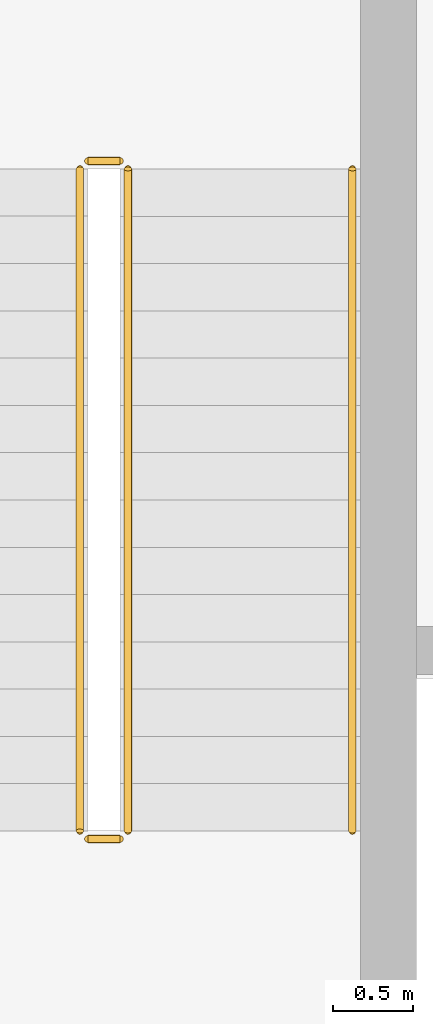
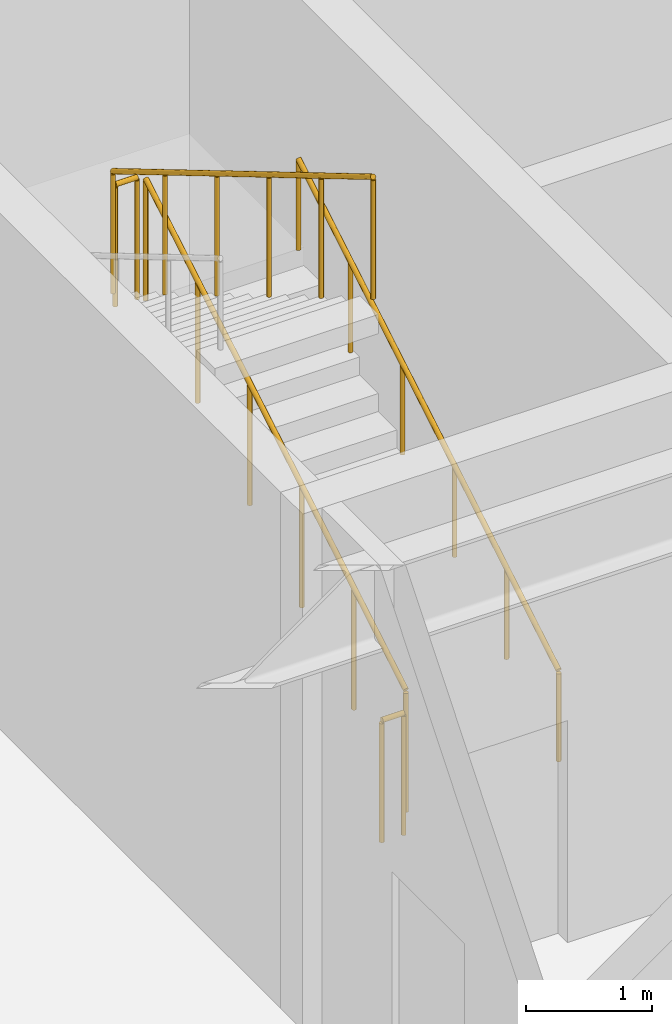
# One storey, part 106 of 109: 5 railings.
"""IFC4 building model written with IfcOpenShell, lengths in metres."""

from ifc_helpers import new_model, si_unit, direction, frame, origin, origin_2d, place, context, subcontext, project, spatial, circle, extrude, material, layer, layer_set, type_object, element, save


model = new_model("IFC4")

# Units and contexts
model_context = context("Model", 3, precision=1e-05, world=origin(), true_north=direction((0.0, 1.0)))
body_context = subcontext(model_context, "Body", "Model", "MODEL_VIEW")
ifc_project = project(units=[si_unit("LENGTHUNIT", "METRE"), si_unit("AREAUNIT", "SQUARE_METRE"), si_unit("VOLUMEUNIT", "CUBIC_METRE"), si_unit("PLANEANGLEUNIT", "RADIAN"), si_unit("MASSUNIT", "GRAM", prefix="KILO")], contexts=[model_context])

# Site, building, storey
site_placement = place(None, origin())
site = spatial("IfcSite", under=ifc_project, at=site_placement, CompositionType="ELEMENT")
building_placement = place(site_placement, origin())
building = spatial("IfcBuilding", under=site, at=building_placement, Name="Nordkorset Police Headquarters", CompositionType="ELEMENT")
storey_placement = place(building_placement, origin())
storey = spatial("IfcBuildingStorey", under=building, at=storey_placement, Name="L00", CompositionType="ELEMENT", Elevation=0.0)

# Railings
ifc_material_1 = material(Name="Steel S355J2", Category="steel")
ifc_layer_1 = layer(ifc_material_1, 0.048095703125, Name="Steel S355J2")
ifc_layer_set_1 = layer_set([ifc_layer_1], Name="Steel S355J2")
railing_type_1 = type_object("IfcRailingType", Name="Railing_Handrail_900", PredefinedType="HANDRAIL", material=ifc_layer_set_1)
railing_1_placement = place(storey_placement, frame((109.125, 90.824951171875, 0.175048828125)))
element("IfcRailing", 1, at=railing_1_placement, inside=storey, type_object=railing_type_1, Name="L00 ST-05 stair handrail 1", PredefinedType="HANDRAIL", context=body_context, shape_type="SweptSolid", body=[
    extrude(circle(Radius=0.02392578125, at=origin_2d()), frame((0.0, 0.0, 0.8759765625), z_axis=(0.0, 0.860065997128, 0.510182791345), x_axis=(-1.0, 0.0, 0.0)), (0.0, 0.0, 1.0), 4.802001953125),
    extrude(circle(Radius=0.02099609375, at=origin_2d()), origin(), (0.0, 0.0, 1.0), 0.851806640625),
    extrude(circle(Radius=0.02099609375, at=origin_2d()), frame((0.0, 0.825927734375, 0.489990234375)), (0.0, 0.0, 1.0), 0.851806640625),
    extrude(circle(Radius=0.02099609375, at=origin_2d()), frame((0.0, 1.652099609375, 0.97998046875)), (0.0, 0.0, 1.0), 0.851806640625),
    extrude(circle(Radius=0.02099609375, at=origin_2d()), frame((0.0, 2.47802734375, 1.469970703125)), (0.0, 0.0, 1.0), 0.851806640625),
    extrude(circle(Radius=0.02099609375, at=origin_2d()), frame((0.0, 3.30419921875, 1.9599609375)), (0.0, 0.0, 1.0), 0.851806640625),
    extrude(circle(Radius=0.02099609375, at=origin_2d()), frame((0.0, 4.130126953125, 2.449951171875)), (0.0, 0.0, 1.0), 0.851806640625),
])
ifc_material_2 = material(Name="Steel S355J2", Category="steel")
ifc_layer_2 = layer(ifc_material_2, 0.050048828125, Name="Steel S355J2")
ifc_layer_set_2 = layer_set([ifc_layer_2], Name="Steel S355J2")
railing_type_2 = type_object("IfcRailingType", Name="Railing_StairGuard_1200", PredefinedType="GUARDRAIL", material=ifc_layer_set_2)
railing_2_placement = place(storey_placement, frame((107.72509765625, 90.824951171875, 0.175048828125)))
element("IfcRailing", 2, at=railing_2_placement, inside=storey, type_object=railing_type_2, Name="L00 ST-05 stair guard 1", PredefinedType="GUARDRAIL", context=body_context, shape_type="SweptSolid", body=[
    extrude(circle(Radius=0.02392578125, at=origin_2d()), frame((0.0, 0.0, 1.17578125), z_axis=(0.0, 0.860065997128, 0.510182791345), x_axis=(-1.0, 0.0, 0.0)), (0.0, 0.0, 1.0), 4.802001953125),
    extrude(circle(Radius=0.02099609375, at=origin_2d()), origin(), (0.0, 0.0, 1.0), 1.15185546875),
    extrude(circle(Radius=0.02099609375, at=origin_2d()), frame((0.0, 0.825927734375, 0.489990234375)), (0.0, 0.0, 1.0), 1.15185546875),
    extrude(circle(Radius=0.02099609375, at=origin_2d()), frame((0.0, 1.652099609375, 0.97998046875)), (0.0, 0.0, 1.0), 1.15185546875),
    extrude(circle(Radius=0.02099609375, at=origin_2d()), frame((0.0, 2.47802734375, 1.469970703125)), (0.0, 0.0, 1.0), 1.15185546875),
    extrude(circle(Radius=0.02099609375, at=origin_2d()), frame((0.0, 3.30419921875, 1.9599609375)), (0.0, 0.0, 1.0), 1.15185546875),
    extrude(circle(Radius=0.02099609375, at=origin_2d()), frame((0.0, 4.130126953125, 2.449951171875)), (0.0, 0.0, 1.0), 1.15185546875),
])
railing_3_placement = place(storey_placement, frame((107.675048828125, 95.0048828125, 2.625)))
element("IfcRailing", 3, at=railing_3_placement, inside=storey, type_object=railing_type_2, Name="L00 ST-05 stair guard 2", PredefinedType="GUARDRAIL", context=body_context, shape_type="SweptSolid", body=[
    extrude(circle(Radius=0.02392578125, at=origin_2d()), frame((0.0, 0.0, 1.17578125), z_axis=(-1.0, 0.0, 0.0), x_axis=(0.0, -1.0, 0.0)), (0.0, 0.0, 1.0), 0.199951171875),
    extrude(circle(Radius=0.02099609375, at=origin_2d()), origin(), (0.0, 0.0, 1.0), 1.15185546875),
    extrude(circle(Radius=0.02099609375, at=origin_2d()), frame((-0.199951171875, 0.0, 0.0)), (0.0, 0.0, 1.0), 1.15185546875),
])
railing_4_placement = place(storey_placement, frame((107.425048828125, 94.955078125, 2.800048828125)))
element("IfcRailing", 4, at=railing_4_placement, inside=storey, type_object=railing_type_2, Name="L00 ST-05 stair guard 3", PredefinedType="GUARDRAIL", context=body_context, shape_type="SweptSolid", body=[
    extrude(circle(Radius=0.02392578125, at=origin_2d()), frame((0.0, 0.0, 1.17578125), z_axis=(0.0, -0.860065997128, 0.510182791345), x_axis=(1.0, 0.0, 0.0)), (0.0, 0.0, 1.0), 4.802001953125),
    extrude(circle(Radius=0.02099609375, at=origin_2d()), origin(), (0.0, 0.0, 1.0), 1.15185546875),
    extrude(circle(Radius=0.02099609375, at=origin_2d()), frame((0.0, -0.825927734375, 0.489990234375)), (0.0, 0.0, 1.0), 1.15185546875),
    extrude(circle(Radius=0.02099609375, at=origin_2d()), frame((0.0, -1.652099609375, 0.97998046875)), (0.0, 0.0, 1.0), 1.15185546875),
    extrude(circle(Radius=0.02099609375, at=origin_2d()), frame((0.0, -2.47802734375, 1.469970703125)), (0.0, 0.0, 1.0), 1.15185546875),
    extrude(circle(Radius=0.02099609375, at=origin_2d()), frame((0.0, -3.30419921875, 1.9599609375)), (0.0, 0.0, 1.0), 1.15185546875),
    extrude(circle(Radius=0.02099609375, at=origin_2d()), frame((0.0, -4.130126953125, 2.449951171875)), (0.0, 0.0, 1.0), 1.15185546875),
])
railing_5_placement = place(storey_placement, frame((107.675048828125, 90.77490234375, 0.0)))
element("IfcRailing", 5, at=railing_5_placement, inside=storey, type_object=railing_type_2, Name="L00 ST-05 stair guard 4", PredefinedType="GUARDRAIL", context=body_context, shape_type="SweptSolid", body=[
    extrude(circle(Radius=0.02392578125, at=origin_2d()), frame((0.0, 0.0, 1.17578125), z_axis=(-1.0, 0.0, 0.0), x_axis=(0.0, -1.0, 0.0)), (0.0, 0.0, 1.0), 0.199951171875),
    extrude(circle(Radius=0.02099609375, at=origin_2d()), origin(), (0.0, 0.0, 1.0), 1.15185546875),
    extrude(circle(Radius=0.02099609375, at=origin_2d()), frame((-0.199951171875, 0.0, 0.0)), (0.0, 0.0, 1.0), 1.15185546875),
])

save(model, "model.ifc")
